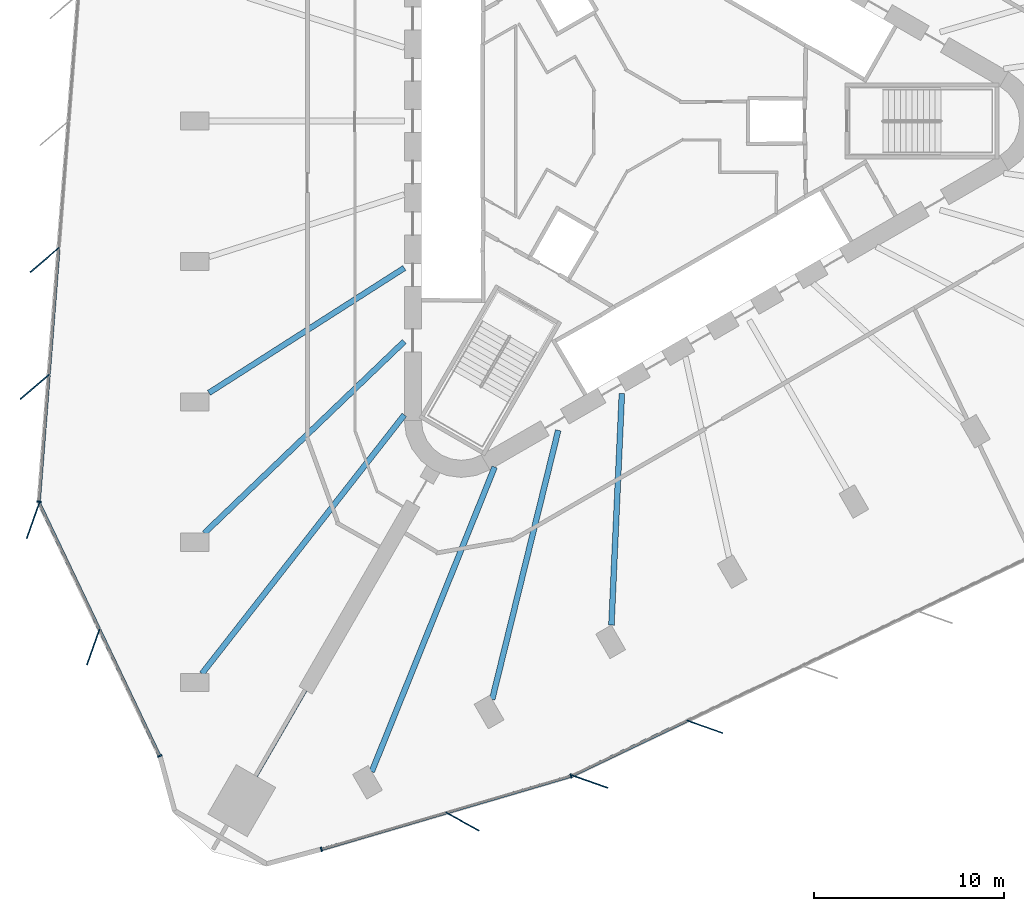
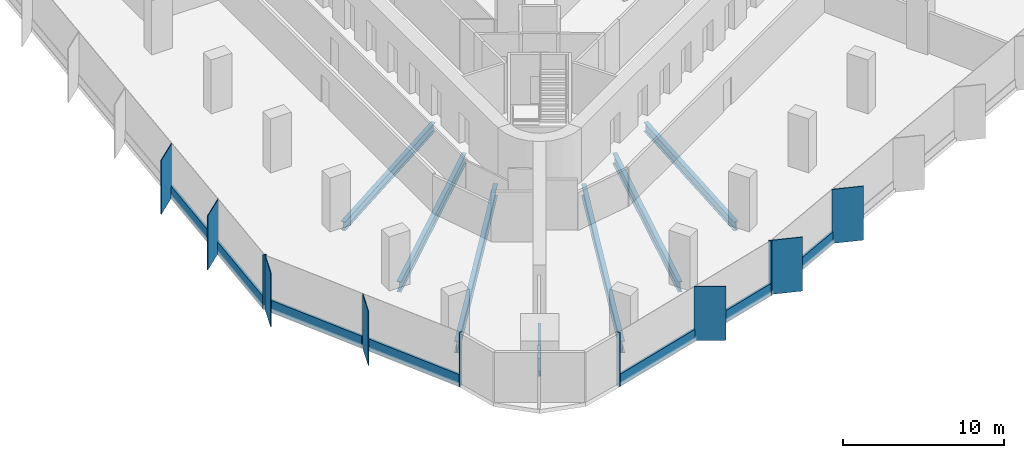
# One storey, part 2 of 14: 18 members, 7 beams, 4 elements without a shape of their own.
"""IFC4 building model written with IfcOpenShell, lengths in metres."""

from ifc_helpers import new_model, si_unit, direction, frame, origin, origin_2d, place, context, subcontext, project, spatial, rectangle, i_section, extrude, material, material_profile, profile_set, type_object, element, aggregate, save


model = new_model("IFC4")

# Units and contexts
model_context = context("Model", 3, precision=1e-05, world=origin(), true_north=direction((0.0, 1.0)))
body_context = subcontext(model_context, "Body", "Model", "MODEL_VIEW")
ifc_project = project(units=[si_unit("LENGTHUNIT", "METRE"), si_unit("AREAUNIT", "SQUARE_METRE"), si_unit("VOLUMEUNIT", "CUBIC_METRE"), si_unit("PLANEANGLEUNIT", "RADIAN"), si_unit("MASSUNIT", "GRAM", prefix="KILO")], contexts=[model_context])

# Site, building, storey
site_placement = place(None, origin())
site = spatial("IfcSite", under=ifc_project, at=site_placement, CompositionType="ELEMENT")
building_placement = place(site_placement, origin())
building = spatial("IfcBuilding", under=site, at=building_placement, Name="Tanit Gate Tower", CompositionType="ELEMENT")
storey_placement = place(building_placement, frame((0.0, 0.0, 86.5)))
storey = spatial("IfcBuildingStorey", under=building, at=storey_placement, Name="L17", CompositionType="ELEMENT", Elevation=86.5)

# Curtain wall, members
ifc_material_1 = material(Name="Aluminium bronze anodised and glass", Category="aluminium")
curtain_wall_type = type_object("IfcCurtainWallType", Name="Curtain wall typical low", PredefinedType="NOTDEFINED", material=ifc_material_1)
curtain_wall_1_placement = place(storey_placement, origin())
curtain_wall_1 = element("IfcCurtainWall", 1, at=curtain_wall_1_placement, inside=storey, type_object=curtain_wall_type, Name="Curtain wall L17 W2", PredefinedType="NOTDEFINED")
ifc_material_2 = material(Name="Aluminium bronze anodised", Category="aluminium")
ifc_material_profile_1 = material_profile(ifc_material_2, rectangle(XDim=2.0, YDim=0.055908203125, at=origin_2d()), Name="56x2000 bronze fin mullion")
ifc_profile_set_1 = profile_set([ifc_material_profile_1], Name="Aluminium bronze anodised")
member_type_1 = type_object("IfcMemberType", Name="FIN MULLION 56x2000 bronze", PredefinedType="MULLION", material=ifc_profile_set_1)
member_1_placement = place(storey_placement, frame((-31.034912109375, -7.313232421875, -0.300048828125), z_axis=(0.0, 0.0, 1.0), x_axis=(0.75991198916, 0.650025975428, 0.0)))
member_1 = element("IfcMember", 2, at=member_1_placement, type_object=member_type_1, Name="Fin mullion L17 W2.5", PredefinedType="MULLION", context=body_context, shape_type="SweptSolid", body=[
    extrude(rectangle(XDim=2.0, YDim=0.055908203125, at=origin_2d()), origin(), (0.0, 0.0, 1.0), 4.10009765625),
])
member_2_placement = place(storey_placement, frame((-31.5556640625, -13.9931640625, -0.300048828125), z_axis=(0.0, 0.0, 1.0), x_axis=(0.75991198916, 0.650025975428, 0.0)))
member_2 = element("IfcMember", 3, at=member_2_placement, type_object=member_type_1, Name="Fin mullion L17 W2.6", PredefinedType="MULLION", context=body_context, shape_type="SweptSolid", body=[
    extrude(rectangle(XDim=2.0, YDim=0.055908203125, at=origin_2d()), origin(), (0.0, 0.0, 1.0), 4.10009765625),
])

curtain_wall_2_placement = place(storey_placement, origin())
curtain_wall_2 = element("IfcCurtainWall", 4, at=curtain_wall_2_placement, inside=storey, type_object=curtain_wall_type, Name="Curtain wall L17 W3", PredefinedType="NOTDEFINED")
member_3_placement = place(storey_placement, frame((-31.646240234375, -21.034912109375, -0.300048828125), z_axis=(0.0, 0.0, 1.0), x_axis=(0.334360696003, 0.942445184065, 0.0)))
member_3 = element("IfcMember", 5, at=member_3_placement, type_object=member_type_1, Name="Fin mullion L17 W3.1", PredefinedType="MULLION", context=body_context, shape_type="SweptSolid", body=[
    extrude(rectangle(XDim=2.0, YDim=0.055908203125, at=origin_2d()), origin(), (0.0, 0.0, 1.0), 4.10009765625),
])
member_4_placement = place(storey_placement, frame((-28.47705078125, -27.689453125, -0.300048828125), z_axis=(0.0, 0.0, 1.0), x_axis=(0.334360696003, 0.942445184065, 0.0)))
member_4 = element("IfcMember", 6, at=member_4_placement, type_object=member_type_1, Name="Fin mullion L17 W3.2", PredefinedType="MULLION", context=body_context, shape_type="SweptSolid", body=[
    extrude(rectangle(XDim=2.0, YDim=0.055908203125, at=origin_2d()), origin(), (0.0, 0.0, 1.0), 4.10009765625),
])

# Curtain wall, member
curtain_wall_3_placement = place(storey_placement, origin())
curtain_wall_3 = element("IfcCurtainWall", 7, at=curtain_wall_3_placement, inside=storey, type_object=curtain_wall_type, Name="Curtain wall L17 SE1", PredefinedType="NOTDEFINED")
member_5_placement = place(storey_placement, frame((-9.0390625, -36.87841796875, -0.300048828125), z_axis=(0.0, 0.0, 1.0), x_axis=(-0.877748339381, 0.479121960166, 0.0)))
member_5 = element("IfcMember", 8, at=member_5_placement, type_object=member_type_1, Name="Fin mullion L17 SE1.2", PredefinedType="MULLION", context=body_context, shape_type="SweptSolid", body=[
    extrude(rectangle(XDim=2.0, YDim=0.055908203125, at=origin_2d()), origin(), (0.0, 0.0, 1.0), 4.10009765625),
])

# Curtain wall, members
curtain_wall_4_placement = place(storey_placement, origin())
curtain_wall_4 = element("IfcCurtainWall", 9, at=curtain_wall_4_placement, inside=storey, type_object=curtain_wall_type, Name="Curtain wall L17 SE2", PredefinedType="NOTDEFINED")
member_6_placement = place(storey_placement, frame((-2.330078125, -34.77685546875, -0.300048828125), z_axis=(0.0, 0.0, 1.0), x_axis=(-0.94289500242, 0.333090099539, 0.0)))
member_6 = element("IfcMember", 10, at=member_6_placement, type_object=member_type_1, Name="Fin mullion L17 SE2.1", PredefinedType="MULLION", context=body_context, shape_type="SweptSolid", body=[
    extrude(rectangle(XDim=2.0, YDim=0.055908203125, at=origin_2d()), origin(), (0.0, 0.0, 1.0), 4.10009765625),
])
member_7_placement = place(storey_placement, frame((3.71533203125, -31.8876953125, -0.300048828125), z_axis=(0.0, 0.0, 1.0), x_axis=(-0.94289500242, 0.333090099539, 0.0)))
member_7 = element("IfcMember", 11, at=member_7_placement, type_object=member_type_1, Name="Fin mullion L17 SE2.2", PredefinedType="MULLION", context=body_context, shape_type="SweptSolid", body=[
    extrude(rectangle(XDim=2.0, YDim=0.055908203125, at=origin_2d()), origin(), (0.0, 0.0, 1.0), 4.10009765625),
])

# Member
ifc_material_3 = material(Name="Aluminium bronze anodised", Category="aluminium")
ifc_material_profile_2 = material_profile(ifc_material_3, rectangle(XDim=0.239990234375, YDim=0.080078125, at=origin_2d()), Name="80x240 bronze mullion")
ifc_profile_set_2 = profile_set([ifc_material_profile_2], Name="Aluminium bronze anodised")
member_type_2 = type_object("IfcMemberType", Name="Mullion 80x240 typical low", PredefinedType="MULLION", material=ifc_profile_set_2)
member_8_placement = place(storey_placement, frame((-31.33349609375, -20.037841796875, -0.300048828125), z_axis=(0.0, 0.0, 1.0), x_axis=(0.996976695812, -0.077701145467, 0.0)))
member_8 = element("IfcMember", 12, at=member_8_placement, type_object=member_type_2, Name="Mullion L17 W2.7", PredefinedType="MULLION", context=body_context, shape_type="SweptSolid", body=[
    extrude(rectangle(XDim=0.239990234375, YDim=0.080078125, at=origin_2d()), origin(), (0.0, 0.0, 1.0), 4.10009765625),
])

member_9_placement = place(storey_placement, frame((-24.98095703125, -33.4228515625, -0.300048828125), z_axis=(0.0, 0.0, 1.0), x_axis=(0.902838096055, 0.429980665043, 0.0)))
member_9 = element("IfcMember", 13, at=member_9_placement, type_object=member_type_2, Name="Mullion L17 W3.3", PredefinedType="MULLION", context=body_context, shape_type="SweptSolid", body=[
    extrude(rectangle(XDim=0.239990234375, YDim=0.080078125, at=origin_2d()), origin(), (0.0, 0.0, 1.0), 4.10009765625),
])

member_10_placement = place(storey_placement, frame((-16.468017578125, -38.340576171875, -0.300048828125), z_axis=(0.0, 0.0, 1.0), x_axis=(-0.281871415903, 0.959452190001, 0.0)))
member_10 = element("IfcMember", 14, at=member_10_placement, type_object=member_type_2, Name="Mullion L17 SE1.1", PredefinedType="MULLION", context=body_context, shape_type="SweptSolid", body=[
    extrude(rectangle(XDim=0.239990234375, YDim=0.080078125, at=origin_2d()), origin(), (0.0, 0.0, 1.0), 4.10009765625),
])

member_11_placement = place(storey_placement, frame((-3.325927734375, -34.479736328125, -0.300048828125), z_axis=(0.0, 0.0, 1.0), x_axis=(-0.281871415903, 0.959452190001, 0.0)))
member_11 = element("IfcMember", 15, at=member_11_placement, type_object=member_type_2, Name="Mullion L17 SE1.3", PredefinedType="MULLION", context=body_context, shape_type="SweptSolid", body=[
    extrude(rectangle(XDim=0.239990234375, YDim=0.080078125, at=origin_2d()), origin(), (0.0, 0.0, 1.0), 4.10009765625),
])

# Beams
ifc_material_4 = material(Name="Steel S355", Category="steel")
ifc_material_profile_3 = material_profile(ifc_material_4, i_section(OverallWidth=0.300048828125, OverallDepth=0.68994140625, WebThickness=0.014404296875, FlangeThickness=0.027099609375, FilletRadius=0.027099609375, at=origin_2d()), Name="HEA 700")
ifc_profile_set_3 = profile_set([ifc_material_profile_3], Name="Steel S355")
beam_type_1 = type_object("IfcBeamType", Name="RADIAL GIRDER HEA 700 S355", PredefinedType="BEAM", material=ifc_profile_set_3)
for number, where, z_axis, x_axis, name in (
    (16, (-22.3837890625, -14.307861328125, -0.64501953125), (0.842570670287, 0.538585801494, 0.0), (-0.538585801494, 0.842570670287, 0.0), "RADIAL GIRDER"),
    (17, (-1.19921875, -26.538818359375, -0.64501953125), (0.045135401382, 0.998980878467, 0.0), (-0.998980878467, 0.045135401382, 0.0), "RADIAL GIRDER"),
):
    element("IfcBeam", number, at=place(storey_placement, frame(where, z_axis=z_axis, x_axis=x_axis)), inside=storey, type_object=beam_type_1, Name=name, PredefinedType="BEAM", context=body_context, shape_type="SweptSolid", body=[
        extrude(i_section(OverallWidth=0.300048828125, OverallDepth=0.68994140625, WebThickness=0.014404296875, FlangeThickness=0.027099609375, FilletRadius=0.027099609375, at=origin_2d()), origin(), (0.0, 0.0, 1.0), 12.202880859375),
    ])
ifc_material_5 = material(Name="Steel S355", Category="steel")
ifc_material_profile_4 = material_profile(ifc_material_5, i_section(OverallWidth=0.300048828125, OverallDepth=0.7900390625, WebThickness=0.014892578125, FlangeThickness=0.028076171875, FilletRadius=0.030029296875, at=origin_2d()), Name="HEA 800")
ifc_profile_set_4 = profile_set([ifc_material_profile_4], Name="Steel S355")
beam_type_2 = type_object("IfcBeamType", Name="RADIAL GIRDER HEA 800 S355", PredefinedType="BEAM", material=ifc_profile_set_4)
for number, where, z_axis, x_axis, name in (
    (18, (-22.63134765625, -21.69921875, -0.695068359375), (0.721812607452, 0.692088549048, 0.0), (-0.692088549048, 0.721812607452, 0.0), "RADIAL GIRDER"),
    (19, (-7.476318359375, -30.44921875, -0.695068359375), (0.238441937153, 0.97115675491, 0.0), (-0.97115675491, 0.238441937153, 0.0), "RADIAL GIRDER"),
):
    element("IfcBeam", number, at=place(storey_placement, frame(where, z_axis=z_axis, x_axis=x_axis)), inside=storey, type_object=beam_type_2, Name=name, PredefinedType="BEAM", context=body_context, shape_type="SweptSolid", body=[
        extrude(i_section(OverallWidth=0.300048828125, OverallDepth=0.7900390625, WebThickness=0.014892578125, FlangeThickness=0.028076171875, FilletRadius=0.030029296875, at=origin_2d()), origin(), (0.0, 0.0, 1.0), 14.58740234375),
    ])
ifc_material_6 = material(Name="Steel S355", Category="steel")
ifc_material_profile_5 = material_profile(ifc_material_6, i_section(OverallWidth=0.300048828125, OverallDepth=0.889892578125, WebThickness=0.01611328125, FlangeThickness=0.030029296875, FilletRadius=0.030029296875, at=origin_2d()), Name="HEA 900")
ifc_profile_set_5 = profile_set([ifc_material_profile_5], Name="Steel S355")
beam_type_3 = type_object("IfcBeamType", Name="RADIAL GIRDER HEA 900 S355", PredefinedType="BEAM", material=ifc_profile_set_5)
for number, where, z_axis, x_axis, name in (
    (20, (-22.755126953125, -29.0908203125, -0.7451171875), (0.616108365998, 0.787661400188, 0.0), (-0.787661400188, 0.616108365998, 0.0), "RADIAL GIRDER"),
    (21, (-13.815673828125, -34.251953125, -0.7451171875), (0.374069410217, 0.927400709693, 0.0), (-0.927400709693, 0.374069410217, 0.0), "RADIAL GIRDER"),
):
    element("IfcBeam", number, at=place(storey_placement, frame(where, z_axis=z_axis, x_axis=x_axis)), inside=storey, type_object=beam_type_3, Name=name, PredefinedType="BEAM", context=body_context, shape_type="SweptSolid", body=[
        extrude(i_section(OverallWidth=0.300048828125, OverallDepth=0.889892578125, WebThickness=0.01611328125, FlangeThickness=0.030029296875, FilletRadius=0.030029296875, at=origin_2d()), origin(), (0.0, 0.0, 1.0), 17.291015625),
    ])
ifc_material_7 = material(Name="Steel S355", Category="steel")
ifc_material_profile_6 = material_profile(ifc_material_7, i_section(OverallWidth=0.179931640625, OverallDepth=0.39990234375, WebThickness=0.008544921875, FlangeThickness=0.013427734375, FilletRadius=0.02099609375, at=origin_2d()), Name="IPE 400")
ifc_profile_set_6 = profile_set([ifc_material_profile_6], Name="Steel S355")
beam_type_4 = type_object("IfcBeamType", Name="RADIAL GIRDER IPE 400 S355", PredefinedType="BEAM", material=ifc_profile_set_6)
beam_placement = place(storey_placement, frame((-19.9091796875, -34.483642578125, -0.5), z_axis=(0.500022437694, 0.866012448988, 0.0), x_axis=(-0.866012448988, 0.500022437694, 0.0)))
element("IfcBeam", 22, at=beam_placement, inside=storey, type_object=beam_type_4, Name="RADIAL GIRDER", PredefinedType="BEAM", context=body_context, shape_type="SweptSolid", body=[
    extrude(i_section(OverallWidth=0.179931640625, OverallDepth=0.39990234375, WebThickness=0.008544921875, FlangeThickness=0.013427734375, FilletRadius=0.02099609375, at=origin_2d()), origin(), (0.0, 0.0, 1.0), 5.213134765625),
])

# Member
ifc_material_8 = material(Name="Aluminium bronze anodised", Category="aluminium")
ifc_material_profile_7 = material_profile(ifc_material_8, rectangle(XDim=0.159912109375, YDim=0.89990234375, at=origin_2d()), Name="160x900 bronze transom")
ifc_profile_set_7 = profile_set([ifc_material_profile_7], Name="Aluminium bronze anodised")
member_type_3 = type_object("IfcMemberType", Name="Transom 160x900 typical low", PredefinedType="USERDEFINED", material=ifc_profile_set_7)
member_12_placement = place(storey_placement, frame((-30.29541015625, -6.718017578125, 0.14990234375), z_axis=(-0.077703246028, -0.996976532099, 0.0), x_axis=(0.996976532099, -0.077703246028, 0.0)))
member_12 = element("IfcMember", 23, at=member_12_placement, type_object=member_type_3, Name="Transom L17 W2.5", ObjectType="TRANSOM", PredefinedType="USERDEFINED", context=body_context, shape_type="SweptSolid", body=[
    extrude(rectangle(XDim=0.159912109375, YDim=0.89990234375, at=origin_2d()), origin(), (0.0, 0.0, 1.0), 6.6201171875),
])

member_13_placement = place(storey_placement, frame((-30.81591796875, -13.397705078125, 0.14990234375), z_axis=(-0.077700389209, -0.996976754752, 0.0), x_axis=(0.996976754752, -0.077700389209, 0.0)))
member_13 = element("IfcMember", 24, at=member_13_placement, type_object=member_type_3, Name="Transom L17 W2.6", ObjectType="TRANSOM", PredefinedType="USERDEFINED", context=body_context, shape_type="SweptSolid", body=[
    extrude(rectangle(XDim=0.159912109375, YDim=0.89990234375, at=origin_2d()), origin(), (0.0, 0.0, 1.0), 6.620361328125),
])

aggregate(curtain_wall_1, [member_1, member_2, member_8, member_12, member_13])

member_14_placement = place(storey_placement, frame((-31.30224609375, -20.14990234375, 0.14990234375), z_axis=(0.429972575898, -0.902841948503, 0.0), x_axis=(0.902841948503, 0.429972575898, 0.0)))
member_14 = element("IfcMember", 25, at=member_14_placement, type_object=member_type_3, Name="Transom L17 W3.1", ObjectType="TRANSOM", PredefinedType="USERDEFINED", context=body_context, shape_type="SweptSolid", body=[
    extrude(rectangle(XDim=0.159912109375, YDim=0.89990234375, at=origin_2d()), origin(), (0.0, 0.0, 1.0), 7.29052734375),
])

member_15_placement = place(storey_placement, frame((-28.133056640625, -26.804443359375, 0.14990234375), z_axis=(0.429999871319, -0.90282894873, 0.0), x_axis=(0.90282894873, 0.429999871319, 0.0)))
member_15 = element("IfcMember", 26, at=member_15_placement, type_object=member_type_3, Name="Transom L17 W3.2", ObjectType="TRANSOM", PredefinedType="USERDEFINED", context=body_context, shape_type="SweptSolid", body=[
    extrude(rectangle(XDim=0.159912109375, YDim=0.89990234375, at=origin_2d()), origin(), (0.0, 0.0, 1.0), 7.290771484375),
])

aggregate(curtain_wall_2, [member_3, member_4, member_9, member_14, member_15])

member_16_placement = place(storey_placement, frame((-16.4296875, -38.329345703125, 0.14990234375), z_axis=(0.959451607143, 0.281873399865, 0.0), x_axis=(-0.281873399865, 0.959451607143, 0.0)))
member_16 = element("IfcMember", 27, at=member_16_placement, type_object=member_type_3, Name="Transom L17 SE1.1", ObjectType="TRANSOM", PredefinedType="USERDEFINED", context=body_context, shape_type="SweptSolid", body=[
    extrude(rectangle(XDim=0.159912109375, YDim=0.89990234375, at=origin_2d()), origin(), (0.0, 0.0, 1.0), 6.768798828125),
])

member_17_placement = place(storey_placement, frame((-9.858642578125, -36.39892578125, 0.14990234375), z_axis=(0.959448741277, 0.281883154627, 0.0), x_axis=(-0.281883154627, 0.959448741277, 0.0)))
member_17 = element("IfcMember", 28, at=member_17_placement, type_object=member_type_3, Name="Transom L17 SE1.2", ObjectType="TRANSOM", PredefinedType="USERDEFINED", context=body_context, shape_type="SweptSolid", body=[
    extrude(rectangle(XDim=0.159912109375, YDim=0.89990234375, at=origin_2d()), origin(), (0.0, 0.0, 1.0), 6.7685546875),
])

aggregate(curtain_wall_3, [member_10, member_5, member_11, member_16, member_17])

member_18_placement = place(storey_placement, frame((-3.215576171875, -34.433837890625, 0.14990234375), z_axis=(0.902265239929, 0.431181443033, 0.0), x_axis=(-0.431181443033, 0.902265239929, 0.0)))
member_18 = element("IfcMember", 29, at=member_18_placement, type_object=member_type_3, Name="Transom L17 SE2.1", ObjectType="TRANSOM", PredefinedType="USERDEFINED", context=body_context, shape_type="SweptSolid", body=[
    extrude(rectangle(XDim=0.159912109375, YDim=0.89990234375, at=origin_2d()), origin(), (0.0, 0.0, 1.0), 6.6201171875),
])

aggregate(curtain_wall_4, [member_6, member_7, member_18])

save(model, "model.ifc")
